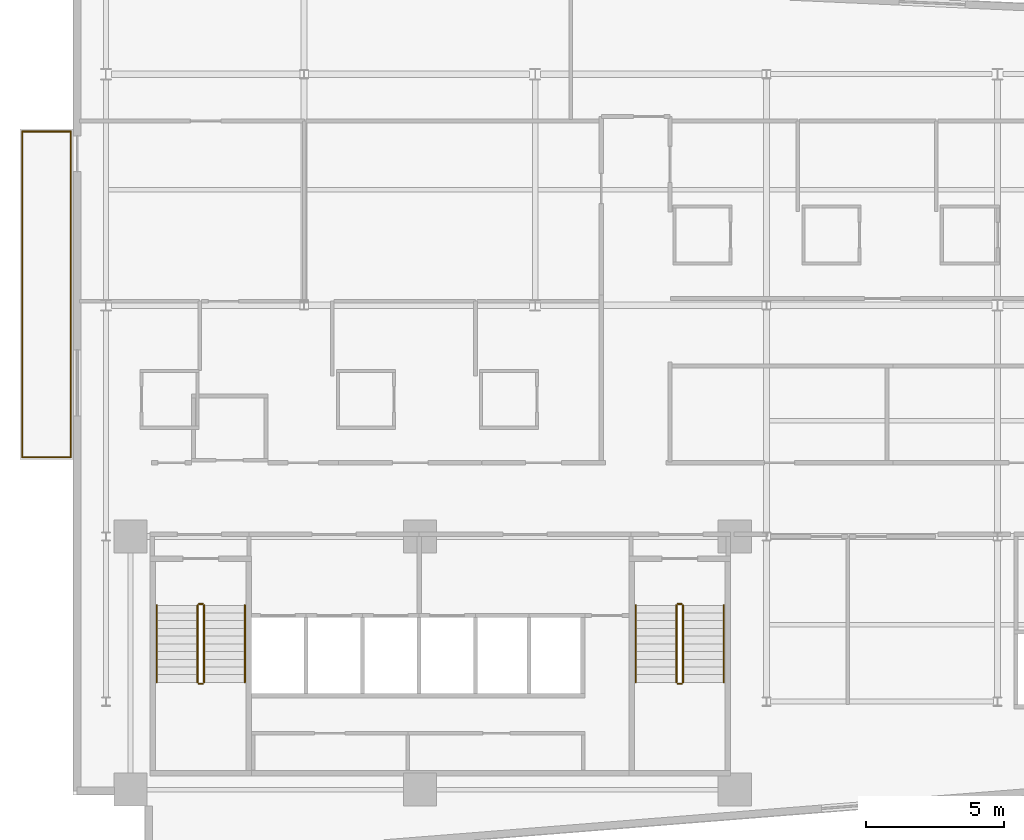
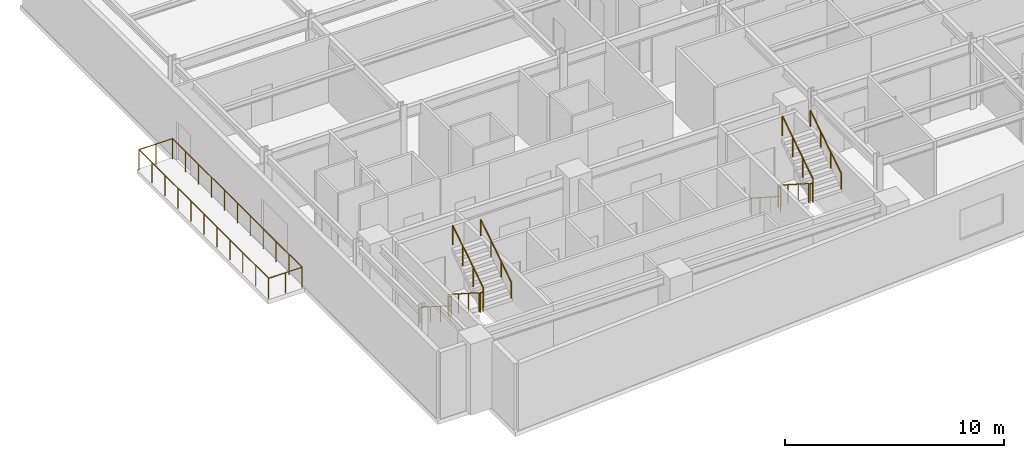
# One storey, part 15 of 18: 16 railings.
"""IFC4 building model written with IfcOpenShell, lengths in metres."""

import ifcopenshell
import ifcopenshell.guid

model = None  # the IFC model being written
_history = None  # IfcOwnerHistory: only IFC2X3 demands one
_inside = {}  # id of a spatial element -> (the spatial element, [elements in it])
_under = {}  # id of a project, library or spatial element -> (it, [spatial elements below it])
_declared = {}  # id of a project -> (the project, [libraries it declares])
_typed = {}  # id of a type object -> (the type object, [elements of that type])
_made_of = {}  # id of a material, layer set ... -> (it, [elements and type objects made of it])


def new_model(schema):
    """Start an empty IFC model of exactly this schema.

    Asked for "IFC4X3", IfcOpenShell would pick the latest addendum, in which some entities
    have other attributes; the version numbers below select the first issue.
    IFC2X3 requires an IfcOwnerHistory on every rooted entity: one is made here for all.
    """
    global model, _history
    if schema == "IFC4X3":
        model = ifcopenshell.file(schema_version=(4, 3, 0, 0))
    else:
        model = ifcopenshell.file(schema=schema)
    _inside.clear()
    _under.clear()
    _declared.clear()
    _typed.clear()
    _made_of.clear()
    _history = None
    if model.schema == "IFC2X3":
        org = make("IfcOrganization", Name="unknown")
        user = make(
            "IfcPersonAndOrganization",
            ThePerson=make("IfcPerson", FamilyName="unknown"),
            TheOrganization=org,
        )
        app = make(
            "IfcApplication",
            ApplicationDeveloper=org,
            Version="unknown",
            ApplicationFullName="unknown",
            ApplicationIdentifier="unknown",
        )
        _history = make(
            "IfcOwnerHistory",
            OwningUser=user,
            OwningApplication=app,
            ChangeAction="ADDED",
            CreationDate=0,
        )
    return model


def make(cls, **values):
    """One entity of the class cls with the attributes given. An attribute that is None is left unset."""
    return model.create_entity(
        cls, **{name: value for name, value in values.items() if value is not None}
    )


def rooted(cls, **values):
    """An entity with a GlobalId (a new one), such as an element, a storey or a relation."""
    return make(cls, GlobalId=ifcopenshell.guid.new(), OwnerHistory=_history, **values)


def si_unit(unit_type, name, prefix=None):
    """IfcSIUnit, for example si_unit("LENGTHUNIT", "METRE", prefix="MILLI")."""
    return make("IfcSIUnit", UnitType=unit_type, Prefix=prefix, Name=name)


def assignment(units):
    """IfcUnitAssignment: the units of a project."""
    return None if units is None else make("IfcUnitAssignment", Units=units)


def point(xyz):
    """IfcCartesianPoint."""
    return None if xyz is None else make("IfcCartesianPoint", Coordinates=xyz)


def direction(xyz):
    """IfcDirection."""
    return None if xyz is None else make("IfcDirection", DirectionRatios=xyz)


def frame(location, z_axis=None, x_axis=None):
    """IfcAxis2Placement3D, a coordinate frame: its origin and axes. An axis left out is left unset."""
    return make(
        "IfcAxis2Placement3D",
        Location=point(location),
        Axis=direction(z_axis),
        RefDirection=direction(x_axis),
    )


def frame_2d(location, x_axis=None):
    """IfcAxis2Placement2D, a coordinate frame in the plane: its origin and x axis."""
    return make(
        "IfcAxis2Placement2D", Location=point(location), RefDirection=direction(x_axis)
    )


def origin():
    """The frame at (0, 0, 0) with its axes left unset."""
    return frame((0.0, 0.0, 0.0))


def origin_2d():
    """The frame at (0, 0) in the plane with its x axis left unset."""
    return frame_2d((0.0, 0.0))


def place(relative_to, where):
    """IfcLocalPlacement: puts the frame where relative to a parent placement (None: the world)."""
    return make(
        "IfcLocalPlacement", PlacementRelTo=relative_to, RelativePlacement=where
    )


def context(
    kind, dimensions, precision=None, world=None, true_north=None, identifier=None
):
    """IfcGeometricRepresentationContext, for example the 3D "Model" context."""
    return make(
        "IfcGeometricRepresentationContext",
        ContextIdentifier=identifier,
        ContextType=kind,
        CoordinateSpaceDimension=dimensions,
        Precision=precision,
        WorldCoordinateSystem=world,
        TrueNorth=true_north,
    )


def subcontext(parent, identifier, kind, view, scale=None):
    """IfcGeometricRepresentationSubContext, for example "Body" below "Model"."""
    return make(
        "IfcGeometricRepresentationSubContext",
        ContextIdentifier=identifier,
        ContextType=kind,
        ParentContext=parent,
        TargetScale=scale,
        TargetView=view,
    )


def project(units=None, contexts=None):
    """IfcProject with its units and contexts."""
    return rooted(
        "IfcProject",
        Name="project",
        RepresentationContexts=contexts,
        UnitsInContext=assignment(units),
    )


def spatial(cls, under=None, at=None, **own):
    """A site, building, storey or space (cls), placed at a placement, below another one or the project."""
    s = rooted(cls, ObjectPlacement=at, **own)
    if under is not None:
        _under.setdefault(under.id(), (under, []))[1].append(s)
    return s


def profile(cls, at=None, kind="AREA", **sizes):
    """A parametric profile (cls). Its sizes go by their IFC names, for example OverallWidth=200.0."""
    return make(cls, ProfileType=kind, Position=at, **sizes)


def circle(**sizes):
    """IfcCircleProfileDef."""
    return profile("IfcCircleProfileDef", **sizes)


def extrude(swept, where, along, depth):
    """IfcExtrudedAreaSolid: the profile swept, set in the frame where, extruded along a direction by depth."""
    return make(
        "IfcExtrudedAreaSolid",
        SweptArea=swept,
        Position=where,
        ExtrudedDirection=direction(along),
        Depth=depth,
    )


def shape(context_of_items, identifier, shape_type, items):
    """IfcShapeRepresentation: the items that make up one representation, for example the "Body"."""
    return make(
        "IfcShapeRepresentation",
        ContextOfItems=context_of_items,
        RepresentationIdentifier=identifier,
        RepresentationType=shape_type,
        Items=items,
    )


def material(Name=None, Category=None):
    """IfcMaterial."""
    return make("IfcMaterial", Name=Name, Category=Category)


def made_of(thing, what):
    """Note that an element or type object is made of a material, layer set ...; save() writes the relation."""
    if what is not None:
        _made_of.setdefault(what.id(), (what, []))[1].append(thing)
    return thing


def type_object(cls, material=None, **own):
    """A type object (cls), such as IfcWallType, which elements share."""
    return made_of(rooted(cls, **own), material)


def element(
    cls,
    number,
    at=None,
    inside=None,
    cuts=None,
    type_object=None,
    material=None,
    context=None,
    identifier="Body",
    shape_type=None,
    held_by="IfcProductDefinitionShape",
    body=None,
    shapes=None,
    **own,
):
    """One element of the class cls, such as IfcWall. Its Tag is "e" and its number.

    at: its placement. inside: the storey or other place that contains it. cuts: it is an
    opening in that element (IfcRelVoidsElement). A single representation is given by context,
    identifier, shape_type and body (its items); several are given by shapes. held_by: the class
    of the entity that holds the representations. save() writes the other relations.
    """
    e = rooted(cls, Tag="e%d" % number, ObjectPlacement=at, **own)
    if body is not None:
        shapes = [shape(context, identifier, shape_type, body)]
    if shapes is not None:
        e.Representation = make(held_by, Representations=shapes)
    if inside is not None:
        _inside.setdefault(inside.id(), (inside, []))[1].append(e)
    if cuts is not None:
        rooted(
            "IfcRelVoidsElement", RelatingBuildingElement=cuts, RelatedOpeningElement=e
        )
    if type_object is not None:
        _typed.setdefault(type_object.id(), (type_object, []))[1].append(e)
    return made_of(e, material)


def aggregate(whole, parts):
    """IfcRelAggregates: a whole, such as a stair, and the parts it consists of."""
    return rooted("IfcRelAggregates", RelatingObject=whole, RelatedObjects=parts)


def save(model, path):
    """Write the relations noted so far, then the file.

    IfcRelAggregates (storeys below a building ...), IfcRelContainedInSpatialStructure (elements
    in a storey), IfcRelDefinesByType, IfcRelAssociatesMaterial and IfcRelDeclares: one each for
    every whole, place, type object, material and project.
    """
    for whole, parts in _under.values():
        aggregate(whole, parts)
    for where, things in _inside.values():
        rooted(
            "IfcRelContainedInSpatialStructure",
            RelatedElements=things,
            RelatingStructure=where,
        )
    for kind, things in _typed.values():
        rooted("IfcRelDefinesByType", RelatedObjects=things, RelatingType=kind)
    for what, things in _made_of.values():
        rooted("IfcRelAssociatesMaterial", RelatedObjects=things, RelatingMaterial=what)
    for by, libraries in _declared.values():
        rooted("IfcRelDeclares", RelatingContext=by, RelatedDefinitions=libraries)
    model.write(path)


model = new_model("IFC4")

# Units and contexts
model_context = context("Model", 3, precision=1e-05, world=origin(), true_north=direction((0.0, 1.0)))
body_context = subcontext(model_context, "Body", "Model", "MODEL_VIEW")
ifc_project = project(units=[si_unit("LENGTHUNIT", "METRE"), si_unit("AREAUNIT", "SQUARE_METRE"), si_unit("VOLUMEUNIT", "CUBIC_METRE"), si_unit("PLANEANGLEUNIT", "RADIAN"), si_unit("MASSUNIT", "GRAM", prefix="KILO")], contexts=[model_context])

# Site, building, storey
site_placement = place(None, origin())
site = spatial("IfcSite", under=ifc_project, at=site_placement, CompositionType="ELEMENT")
building_placement = place(site_placement, origin())
building = spatial("IfcBuilding", under=site, at=building_placement, Name="Varnakote Quay Hospital", CompositionType="ELEMENT")
storey_placement = place(building_placement, frame((0.0, 0.0, 123.10009765625)))
storey = spatial("IfcBuildingStorey", under=building, at=storey_placement, Name="L30", CompositionType="ELEMENT", Elevation=123.10009765625)

# Railings
ifc_material_1 = material(Name="Anodised aluminium 6063-T6 Bronze", Category="aluminium")
railing_type_1 = type_object("IfcRailingType", Name="RLG-EXT-GUARD-1150", PredefinedType="GUARDRAIL", material=ifc_material_1)
railing_1_placement = place(storey_placement, frame((-0.075927734375, 14.8798828125, 0.0)))
element("IfcRailing", 1, at=railing_1_placement, inside=storey, type_object=railing_type_1, Name="L30 Zigzag Prow Healing Terrace Safety Guard", PredefinedType="GUARDRAIL", context=body_context, shape_type="SweptSolid", body=[
    extrude(circle(Radius=0.02392578125, at=origin_2d()), frame((0.0, 0.0, 1.1259765625), z_axis=(-1.0, 0.0, 0.0), x_axis=(0.0, -1.0, 0.0)), (0.0, 0.0, 1.0), 1.76416015625),
    extrude(circle(Radius=0.02099609375, at=origin_2d()), origin(), (0.0, 0.0, 1.0), 1.101806640625),
    extrude(circle(Radius=0.02099609375, at=origin_2d()), frame((-0.882080078125, 0.0, 0.0)), (0.0, 0.0, 1.0), 1.101806640625),
    extrude(circle(Radius=0.02099609375, at=origin_2d()), frame((-1.76416015625, 0.0, 0.0)), (0.0, 0.0, 1.0), 1.101806640625),
])
railing_2_placement = place(storey_placement, frame((-1.840087890625, 14.8798828125, 0.0)))
element("IfcRailing", 2, at=railing_2_placement, inside=storey, type_object=railing_type_1, Name="L30 Zigzag Prow Healing Terrace Safety Guard", PredefinedType="GUARDRAIL", context=body_context, shape_type="SweptSolid", body=[
    extrude(circle(Radius=0.02392578125, at=origin_2d()), frame((0.0, 0.0, 1.1259765625), z_axis=(0.0, 1.0, 0.0), x_axis=(-1.0, 0.0, 0.0)), (0.0, 0.0, 1.0), 11.840087890625),
    extrude(circle(Radius=0.02099609375, at=origin_2d()), origin(), (0.0, 0.0, 1.0), 1.101806640625),
    extrude(circle(Radius=0.02099609375, at=origin_2d()), frame((0.0, 1.18408203125, 0.0)), (0.0, 0.0, 1.0), 1.101806640625),
    extrude(circle(Radius=0.02099609375, at=origin_2d()), frame((0.0, 2.367919921875, 0.0)), (0.0, 0.0, 1.0), 1.101806640625),
    extrude(circle(Radius=0.02099609375, at=origin_2d()), frame((0.0, 3.552001953125, 0.0)), (0.0, 0.0, 1.0), 1.101806640625),
    extrude(circle(Radius=0.02099609375, at=origin_2d()), frame((0.0, 4.736083984375, 0.0)), (0.0, 0.0, 1.0), 1.101806640625),
    extrude(circle(Radius=0.02099609375, at=origin_2d()), frame((0.0, 5.919921875, 0.0)), (0.0, 0.0, 1.0), 1.101806640625),
    extrude(circle(Radius=0.02099609375, at=origin_2d()), frame((0.0, 7.10400390625, 0.0)), (0.0, 0.0, 1.0), 1.101806640625),
    extrude(circle(Radius=0.02099609375, at=origin_2d()), frame((0.0, 8.2880859375, 0.0)), (0.0, 0.0, 1.0), 1.101806640625),
    extrude(circle(Radius=0.02099609375, at=origin_2d()), frame((0.0, 9.47216796875, 0.0)), (0.0, 0.0, 1.0), 1.101806640625),
    extrude(circle(Radius=0.02099609375, at=origin_2d()), frame((0.0, 10.656005859375, 0.0)), (0.0, 0.0, 1.0), 1.101806640625),
    extrude(circle(Radius=0.02099609375, at=origin_2d()), frame((0.0, 11.840087890625, 0.0)), (0.0, 0.0, 1.0), 1.101806640625),
])
railing_3_placement = place(storey_placement, frame((-1.840087890625, 26.719970703125, 0.0)))
element("IfcRailing", 3, at=railing_3_placement, inside=storey, type_object=railing_type_1, Name="L30 Zigzag Prow Healing Terrace Safety Guard", PredefinedType="GUARDRAIL", context=body_context, shape_type="SweptSolid", body=[
    extrude(circle(Radius=0.02392578125, at=origin_2d()), frame((0.0, 0.0, 1.1259765625), z_axis=(1.0, 0.0, 0.0), x_axis=(0.0, 1.0, 0.0)), (0.0, 0.0, 1.0), 1.76416015625),
    extrude(circle(Radius=0.02099609375, at=origin_2d()), origin(), (0.0, 0.0, 1.0), 1.101806640625),
    extrude(circle(Radius=0.02099609375, at=origin_2d()), frame((0.882080078125, 0.0, 0.0)), (0.0, 0.0, 1.0), 1.101806640625),
    extrude(circle(Radius=0.02099609375, at=origin_2d()), frame((1.76416015625, 0.0, 0.0)), (0.0, 0.0, 1.0), 1.101806640625),
])
railing_4_placement = place(storey_placement, frame((-0.075927734375, 26.719970703125, 0.0)))
element("IfcRailing", 4, at=railing_4_placement, inside=storey, type_object=railing_type_1, Name="L30 Zigzag Prow Healing Terrace Safety Guard", PredefinedType="GUARDRAIL", context=body_context, shape_type="SweptSolid", body=[
    extrude(circle(Radius=0.02392578125, at=origin_2d()), frame((0.0, 0.0, 1.1259765625), z_axis=(0.0, -1.0, 0.0), x_axis=(1.0, 0.0, 0.0)), (0.0, 0.0, 1.0), 11.840087890625),
    extrude(circle(Radius=0.02099609375, at=origin_2d()), origin(), (0.0, 0.0, 1.0), 1.101806640625),
    extrude(circle(Radius=0.02099609375, at=origin_2d()), frame((0.0, -1.18408203125, 0.0)), (0.0, 0.0, 1.0), 1.101806640625),
    extrude(circle(Radius=0.02099609375, at=origin_2d()), frame((0.0, -2.367919921875, 0.0)), (0.0, 0.0, 1.0), 1.101806640625),
    extrude(circle(Radius=0.02099609375, at=origin_2d()), frame((0.0, -3.552001953125, 0.0)), (0.0, 0.0, 1.0), 1.101806640625),
    extrude(circle(Radius=0.02099609375, at=origin_2d()), frame((0.0, -4.736083984375, 0.0)), (0.0, 0.0, 1.0), 1.101806640625),
    extrude(circle(Radius=0.02099609375, at=origin_2d()), frame((0.0, -5.919921875, 0.0)), (0.0, 0.0, 1.0), 1.101806640625),
    extrude(circle(Radius=0.02099609375, at=origin_2d()), frame((0.0, -7.10400390625, 0.0)), (0.0, 0.0, 1.0), 1.101806640625),
    extrude(circle(Radius=0.02099609375, at=origin_2d()), frame((0.0, -8.2880859375, 0.0)), (0.0, 0.0, 1.0), 1.101806640625),
    extrude(circle(Radius=0.02099609375, at=origin_2d()), frame((0.0, -9.47216796875, 0.0)), (0.0, 0.0, 1.0), 1.101806640625),
    extrude(circle(Radius=0.02099609375, at=origin_2d()), frame((0.0, -10.656005859375, 0.0)), (0.0, 0.0, 1.0), 1.101806640625),
    extrude(circle(Radius=0.02099609375, at=origin_2d()), frame((0.0, -11.840087890625, 0.0)), (0.0, 0.0, 1.0), 1.101806640625),
])
ifc_material_2 = material(Name="Brushed stainless steel balustrade", Category="steel")
railing_type_2 = type_object("IfcRailingType", Name="RLG-STAIR-GUARD-1150", PredefinedType="GUARDRAIL", material=ifc_material_2)
railing_5_placement = place(storey_placement, frame((4.530029296875, 9.5, 0.179443359375)))
element("IfcRailing", 5, at=railing_5_placement, inside=storey, type_object=railing_type_2, Name="L30 ST-01 stair guard 1", PredefinedType="GUARDRAIL", context=body_context, shape_type="SweptSolid", body=[
    extrude(circle(Radius=0.02392578125, at=origin_2d()), frame((0.0, 0.0, 1.076171875), z_axis=(0.0, -0.841809871826, 0.539774156196), x_axis=(1.0, 0.0, 0.0)), (0.0, 0.0, 1.0), 3.326171875),
    extrude(circle(Radius=0.02099609375, at=origin_2d()), origin(), (0.0, 0.0, 1.0), 1.052001953125),
    extrude(circle(Radius=0.02099609375, at=origin_2d()), frame((0.0, -0.933349609375, 0.598388671875)), (0.0, 0.0, 1.0), 1.052001953125),
    extrude(circle(Radius=0.02099609375, at=origin_2d()), frame((0.0, -1.86669921875, 1.197021484375)), (0.0, 0.0, 1.0), 1.052001953125),
    extrude(circle(Radius=0.02099609375, at=origin_2d()), frame((0.0, -2.800048828125, 1.79541015625)), (0.0, 0.0, 1.0), 1.052001953125),
])
railing_6_placement = place(storey_placement, frame((4.580078125, 6.64990234375, 1.974853515625)))
element("IfcRailing", 6, at=railing_6_placement, inside=storey, type_object=railing_type_2, Name="L30 ST-01 stair guard 2", PredefinedType="GUARDRAIL", context=body_context, shape_type="SweptSolid", body=[
    extrude(circle(Radius=0.02392578125, at=origin_2d()), frame((0.0, 0.0, 1.076171875), z_axis=(1.0, 0.0, 0.0), x_axis=(0.0, 1.0, 0.0)), (0.0, 0.0, 1.0), 0.139892578125),
    extrude(circle(Radius=0.02099609375, at=origin_2d()), origin(), (0.0, 0.0, 1.0), 1.052001953125),
    extrude(circle(Radius=0.02099609375, at=origin_2d()), frame((0.139892578125, 0.0, 0.0)), (0.0, 0.0, 1.0), 1.052001953125),
])
railing_7_placement = place(storey_placement, frame((4.77001953125, 6.699951171875, 2.154541015625)))
element("IfcRailing", 7, at=railing_7_placement, inside=storey, type_object=railing_type_2, Name="L30 ST-01 stair guard 3", PredefinedType="GUARDRAIL", context=body_context, shape_type="SweptSolid", body=[
    extrude(circle(Radius=0.02392578125, at=origin_2d()), frame((0.0, 0.0, 1.076171875), z_axis=(0.0, 0.841809871826, 0.539774156196), x_axis=(-1.0, 0.0, 0.0)), (0.0, 0.0, 1.0), 3.326171875),
    extrude(circle(Radius=0.02099609375, at=origin_2d()), origin(), (0.0, 0.0, 1.0), 1.052001953125),
    extrude(circle(Radius=0.02099609375, at=origin_2d()), frame((0.0, 0.933349609375, 0.598388671875)), (0.0, 0.0, 1.0), 1.052001953125),
    extrude(circle(Radius=0.02099609375, at=origin_2d()), frame((0.0, 1.86669921875, 1.197021484375)), (0.0, 0.0, 1.0), 1.052001953125),
    extrude(circle(Radius=0.02099609375, at=origin_2d()), frame((0.0, 2.800048828125, 1.79541015625)), (0.0, 0.0, 1.0), 1.052001953125),
])
railing_8_placement = place(storey_placement, frame((4.580078125, 9.550048828125, 0.0)))
element("IfcRailing", 8, at=railing_8_placement, inside=storey, type_object=railing_type_2, Name="L30 ST-01 stair guard 4", PredefinedType="GUARDRAIL", context=body_context, shape_type="SweptSolid", body=[
    extrude(circle(Radius=0.02392578125, at=origin_2d()), frame((0.0, 0.0, 1.076171875), z_axis=(1.0, 0.0, 0.0), x_axis=(0.0, 1.0, 0.0)), (0.0, 0.0, 1.0), 0.139892578125),
    extrude(circle(Radius=0.02099609375, at=origin_2d()), origin(), (0.0, 0.0, 1.0), 1.052001953125),
    extrude(circle(Radius=0.02099609375, at=origin_2d()), frame((0.139892578125, 0.0, 0.0)), (0.0, 0.0, 1.0), 1.052001953125),
])
railing_9_placement = place(storey_placement, frame((21.929931640625, 9.5, 0.179443359375)))
element("IfcRailing", 9, at=railing_9_placement, inside=storey, type_object=railing_type_2, Name="L30 ST-02 stair guard 1", PredefinedType="GUARDRAIL", context=body_context, shape_type="SweptSolid", body=[
    extrude(circle(Radius=0.02392578125, at=origin_2d()), frame((0.0, 0.0, 1.076171875), z_axis=(0.0, -0.841809871826, 0.539774156196), x_axis=(1.0, 0.0, 0.0)), (0.0, 0.0, 1.0), 3.326171875),
    extrude(circle(Radius=0.02099609375, at=origin_2d()), origin(), (0.0, 0.0, 1.0), 1.052001953125),
    extrude(circle(Radius=0.02099609375, at=origin_2d()), frame((0.0, -0.933349609375, 0.598388671875)), (0.0, 0.0, 1.0), 1.052001953125),
    extrude(circle(Radius=0.02099609375, at=origin_2d()), frame((0.0, -1.86669921875, 1.197021484375)), (0.0, 0.0, 1.0), 1.052001953125),
    extrude(circle(Radius=0.02099609375, at=origin_2d()), frame((0.0, -2.800048828125, 1.79541015625)), (0.0, 0.0, 1.0), 1.052001953125),
])
railing_10_placement = place(storey_placement, frame((21.97998046875, 6.64990234375, 1.974853515625)))
element("IfcRailing", 10, at=railing_10_placement, inside=storey, type_object=railing_type_2, Name="L30 ST-02 stair guard 2", PredefinedType="GUARDRAIL", context=body_context, shape_type="SweptSolid", body=[
    extrude(circle(Radius=0.02392578125, at=origin_2d()), frame((0.0, 0.0, 1.076171875), z_axis=(1.0, 0.0, 0.0), x_axis=(0.0, 1.0, 0.0)), (0.0, 0.0, 1.0), 0.14013671875),
    extrude(circle(Radius=0.02099609375, at=origin_2d()), origin(), (0.0, 0.0, 1.0), 1.052001953125),
    extrude(circle(Radius=0.02099609375, at=origin_2d()), frame((0.14013671875, 0.0, 0.0)), (0.0, 0.0, 1.0), 1.052001953125),
])
railing_11_placement = place(storey_placement, frame((22.169921875, 6.699951171875, 2.154541015625)))
element("IfcRailing", 11, at=railing_11_placement, inside=storey, type_object=railing_type_2, Name="L30 ST-02 stair guard 3", PredefinedType="GUARDRAIL", context=body_context, shape_type="SweptSolid", body=[
    extrude(circle(Radius=0.02392578125, at=origin_2d()), frame((0.0, 0.0, 1.076171875), z_axis=(0.0, 0.841809871826, 0.539774156196), x_axis=(-1.0, 0.0, 0.0)), (0.0, 0.0, 1.0), 3.326171875),
    extrude(circle(Radius=0.02099609375, at=origin_2d()), origin(), (0.0, 0.0, 1.0), 1.052001953125),
    extrude(circle(Radius=0.02099609375, at=origin_2d()), frame((0.0, 0.933349609375, 0.598388671875)), (0.0, 0.0, 1.0), 1.052001953125),
    extrude(circle(Radius=0.02099609375, at=origin_2d()), frame((0.0, 1.86669921875, 1.197021484375)), (0.0, 0.0, 1.0), 1.052001953125),
    extrude(circle(Radius=0.02099609375, at=origin_2d()), frame((0.0, 2.800048828125, 1.79541015625)), (0.0, 0.0, 1.0), 1.052001953125),
])
railing_12_placement = place(storey_placement, frame((21.97998046875, 9.550048828125, 0.0)))
element("IfcRailing", 12, at=railing_12_placement, inside=storey, type_object=railing_type_2, Name="L30 ST-02 stair guard 4", PredefinedType="GUARDRAIL", context=body_context, shape_type="SweptSolid", body=[
    extrude(circle(Radius=0.02392578125, at=origin_2d()), frame((0.0, 0.0, 1.076171875), z_axis=(1.0, 0.0, 0.0), x_axis=(0.0, 1.0, 0.0)), (0.0, 0.0, 1.0), 0.14013671875),
    extrude(circle(Radius=0.02099609375, at=origin_2d()), origin(), (0.0, 0.0, 1.0), 1.052001953125),
    extrude(circle(Radius=0.02099609375, at=origin_2d()), frame((0.14013671875, 0.0, 0.0)), (0.0, 0.0, 1.0), 1.052001953125),
])
ifc_material_3 = material(Name="Brushed stainless steel handrail", Category="steel")
railing_type_3 = type_object("IfcRailingType", Name="RLG-STAIR-HND-920", PredefinedType="HANDRAIL", material=ifc_material_3)
railing_13_placement = place(storey_placement, frame((3.050048828125, 9.5, 0.179443359375)))
element("IfcRailing", 13, at=railing_13_placement, inside=storey, type_object=railing_type_3, Name="L30 ST-01 stair handrail 1", PredefinedType="HANDRAIL", context=body_context, shape_type="SweptSolid", body=[
    extrude(circle(Radius=0.02392578125, at=origin_2d()), frame((0.0, 0.0, 0.8759765625), z_axis=(0.0, -0.841809871826, 0.539774156196), x_axis=(1.0, 0.0, 0.0)), (0.0, 0.0, 1.0), 3.326171875),
    extrude(circle(Radius=0.02099609375, at=origin_2d()), origin(), (0.0, 0.0, 1.0), 0.851806640625),
    extrude(circle(Radius=0.02099609375, at=origin_2d()), frame((0.0, -0.933349609375, 0.598388671875)), (0.0, 0.0, 1.0), 0.851806640625),
    extrude(circle(Radius=0.02099609375, at=origin_2d()), frame((0.0, -1.86669921875, 1.197021484375)), (0.0, 0.0, 1.0), 0.851806640625),
    extrude(circle(Radius=0.02099609375, at=origin_2d()), frame((0.0, -2.800048828125, 1.79541015625)), (0.0, 0.0, 1.0), 0.851806640625),
])
railing_14_placement = place(storey_placement, frame((6.25, 6.699951171875, 2.154541015625)))
element("IfcRailing", 14, at=railing_14_placement, inside=storey, type_object=railing_type_3, Name="L30 ST-01 stair handrail 2", PredefinedType="HANDRAIL", context=body_context, shape_type="SweptSolid", body=[
    extrude(circle(Radius=0.02392578125, at=origin_2d()), frame((0.0, 0.0, 0.8759765625), z_axis=(0.0, 0.841809871826, 0.539774156196), x_axis=(-1.0, 0.0, 0.0)), (0.0, 0.0, 1.0), 3.326171875),
    extrude(circle(Radius=0.02099609375, at=origin_2d()), origin(), (0.0, 0.0, 1.0), 0.851806640625),
    extrude(circle(Radius=0.02099609375, at=origin_2d()), frame((0.0, 0.933349609375, 0.598388671875)), (0.0, 0.0, 1.0), 0.851806640625),
    extrude(circle(Radius=0.02099609375, at=origin_2d()), frame((0.0, 1.86669921875, 1.197021484375)), (0.0, 0.0, 1.0), 0.851806640625),
    extrude(circle(Radius=0.02099609375, at=origin_2d()), frame((0.0, 2.800048828125, 1.79541015625)), (0.0, 0.0, 1.0), 0.851806640625),
])
railing_15_placement = place(storey_placement, frame((20.449951171875, 9.5, 0.179443359375)))
element("IfcRailing", 15, at=railing_15_placement, inside=storey, type_object=railing_type_3, Name="L30 ST-02 stair handrail 1", PredefinedType="HANDRAIL", context=body_context, shape_type="SweptSolid", body=[
    extrude(circle(Radius=0.02392578125, at=origin_2d()), frame((0.0, 0.0, 0.8759765625), z_axis=(0.0, -0.841809871826, 0.539774156196), x_axis=(1.0, 0.0, 0.0)), (0.0, 0.0, 1.0), 3.326171875),
    extrude(circle(Radius=0.02099609375, at=origin_2d()), origin(), (0.0, 0.0, 1.0), 0.851806640625),
    extrude(circle(Radius=0.02099609375, at=origin_2d()), frame((0.0, -0.933349609375, 0.598388671875)), (0.0, 0.0, 1.0), 0.851806640625),
    extrude(circle(Radius=0.02099609375, at=origin_2d()), frame((0.0, -1.86669921875, 1.197021484375)), (0.0, 0.0, 1.0), 0.851806640625),
    extrude(circle(Radius=0.02099609375, at=origin_2d()), frame((0.0, -2.800048828125, 1.79541015625)), (0.0, 0.0, 1.0), 0.851806640625),
])
railing_16_placement = place(storey_placement, frame((23.64990234375, 6.699951171875, 2.154541015625)))
element("IfcRailing", 16, at=railing_16_placement, inside=storey, type_object=railing_type_3, Name="L30 ST-02 stair handrail 2", PredefinedType="HANDRAIL", context=body_context, shape_type="SweptSolid", body=[
    extrude(circle(Radius=0.02392578125, at=origin_2d()), frame((0.0, 0.0, 0.8759765625), z_axis=(0.0, 0.841809871826, 0.539774156196), x_axis=(-1.0, 0.0, 0.0)), (0.0, 0.0, 1.0), 3.326171875),
    extrude(circle(Radius=0.02099609375, at=origin_2d()), origin(), (0.0, 0.0, 1.0), 0.851806640625),
    extrude(circle(Radius=0.02099609375, at=origin_2d()), frame((0.0, 0.933349609375, 0.598388671875)), (0.0, 0.0, 1.0), 0.851806640625),
    extrude(circle(Radius=0.02099609375, at=origin_2d()), frame((0.0, 1.86669921875, 1.197021484375)), (0.0, 0.0, 1.0), 0.851806640625),
    extrude(circle(Radius=0.02099609375, at=origin_2d()), frame((0.0, 2.800048828125, 1.79541015625)), (0.0, 0.0, 1.0), 0.851806640625),
])

save(model, "model.ifc")
